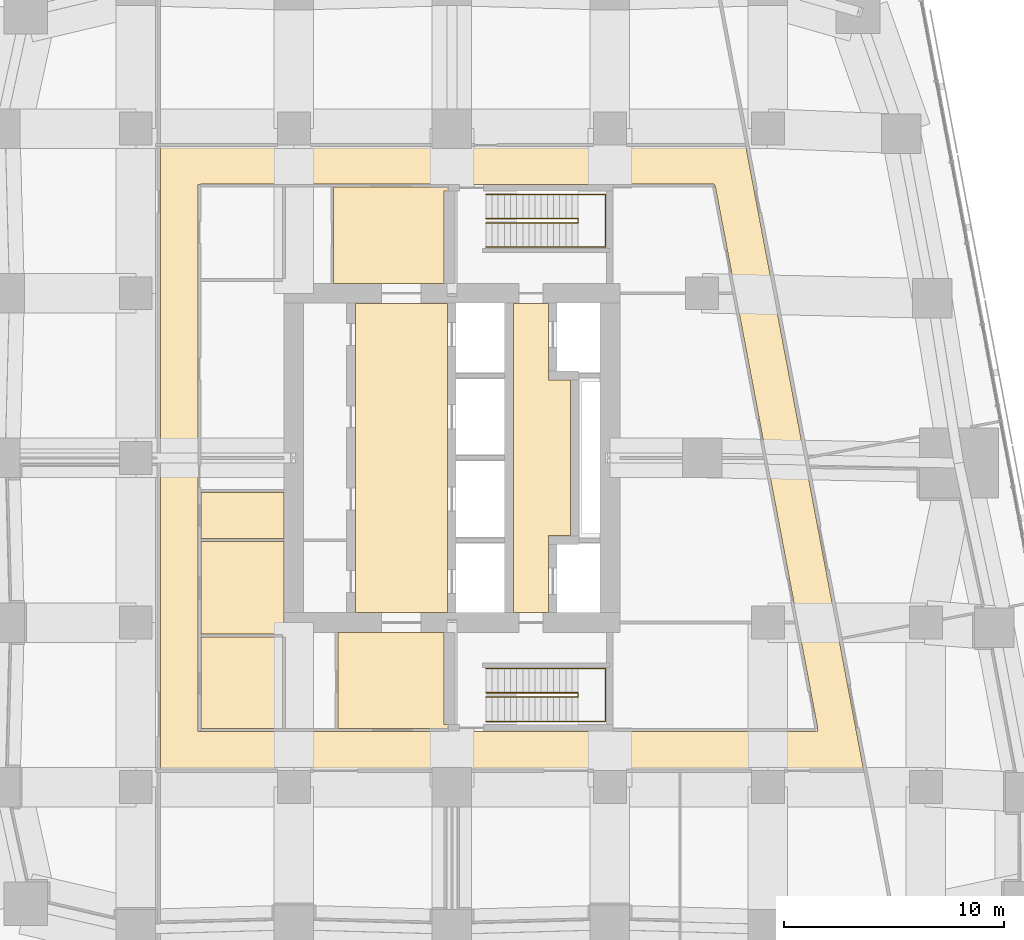
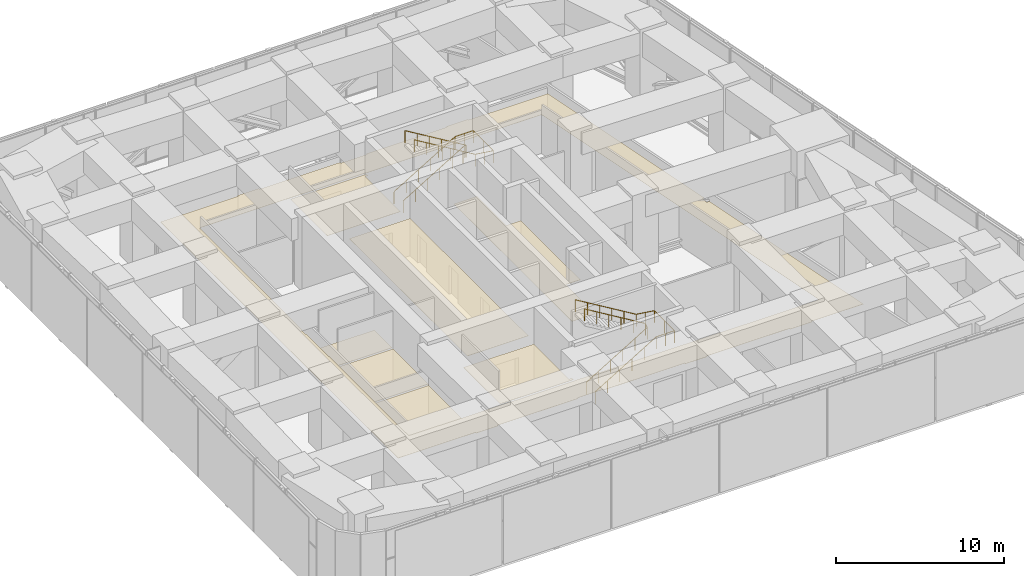
# One storey, part 17 of 17: 8 coverings, 4 railings.
"""IFC4 building model written with IfcOpenShell, lengths in metres."""

from ifc_helpers import new_model, si_unit, direction, frame, origin, origin_2d, place, context, subcontext, project, spatial, polyline, circle, outline, extrude, material, layer, layer_set, type_object, element, save


model = new_model("IFC4")

# Units and contexts
model_context = context("Model", 3, precision=1e-05, world=origin(), true_north=direction((0.0, 1.0)))
body_context = subcontext(model_context, "Body", "Model", "MODEL_VIEW")
ifc_project = project(units=[si_unit("LENGTHUNIT", "METRE"), si_unit("AREAUNIT", "SQUARE_METRE"), si_unit("VOLUMEUNIT", "CUBIC_METRE"), si_unit("PLANEANGLEUNIT", "RADIAN"), si_unit("MASSUNIT", "GRAM", prefix="KILO")], contexts=[model_context])

# Site, building, storey
site_placement = place(None, origin())
site = spatial("IfcSite", under=ifc_project, at=site_placement, CompositionType="ELEMENT")
building_placement = place(site_placement, origin())
building = spatial("IfcBuilding", under=site, at=building_placement, Name="Sheger Commons Tower", CompositionType="ELEMENT")
storey_placement = place(building_placement, frame((0.0, 0.0, 188.300048828125)))
storey = spatial("IfcBuildingStorey", under=building, at=storey_placement, Name="L48", CompositionType="ELEMENT", Elevation=188.300048828125)

# Railings
ifc_material_1 = material(Name="Steel handrail, black powder-coated", Category="steel")
railing_type = type_object("IfcRailingType", Name="HANDRAIL 900", PredefinedType="HANDRAIL", material=ifc_material_1)
railing_1_placement = place(storey_placement, frame((23.14990234375, 11.60009765625, 0.168701171875)))
element("IfcRailing", 1, at=railing_1_placement, inside=storey, type_object=railing_type, Name="Stair S1 handrail L48", PredefinedType="HANDRAIL", context=body_context, shape_type="SweptSolid", body=[
    extrude(circle(Radius=0.02392578125, at=origin_2d()), frame((0.0, 0.0, 0.8759765625), z_axis=(0.856489757249, 0.0, 0.516164020179), x_axis=(0.0, 1.0, 0.0)), (0.0, 0.0, 1.0), 4.904052734375),
    extrude(circle(Radius=0.02392578125, at=origin_2d()), frame((4.2001953125, 0.0, 3.4072265625), z_axis=(0.0, 0.764305856904, 0.644853903688), x_axis=(-1.0, 0.0, 0.0)), (0.0, 0.0, 1.0), 0.26171875),
    extrude(circle(Radius=0.02392578125, at=origin_2d()), frame((4.2001953125, 0.199951171875, 3.57568359375), z_axis=(-0.856489757249, 0.0, 0.516164020179), x_axis=(0.0, -1.0, 0.0)), (0.0, 0.0, 1.0), 4.904052734375),
    extrude(circle(Radius=0.02099609375, at=origin_2d()), origin(), (0.0, 0.0, 1.0), 0.851806640625),
    extrude(circle(Radius=0.02099609375, at=origin_2d()), frame((0.840087890625, 0.0, 0.50634765625)), (0.0, 0.0, 1.0), 0.851806640625),
    extrude(circle(Radius=0.02099609375, at=origin_2d()), frame((1.68017578125, 0.0, 1.012451171875)), (0.0, 0.0, 1.0), 0.851806640625),
    extrude(circle(Radius=0.02099609375, at=origin_2d()), frame((2.52001953125, 0.0, 1.518798828125)), (0.0, 0.0, 1.0), 0.851806640625),
    extrude(circle(Radius=0.02099609375, at=origin_2d()), frame((3.360107421875, 0.0, 2.02490234375)), (0.0, 0.0, 1.0), 0.851806640625),
    extrude(circle(Radius=0.02099609375, at=origin_2d()), frame((4.2001953125, 0.0, 2.53125)), (0.0, 0.0, 1.0), 0.851806640625),
    extrude(circle(Radius=0.02099609375, at=origin_2d()), frame((4.2001953125, 0.199951171875, 2.699951171875)), (0.0, 0.0, 1.0), 0.851806640625),
    extrude(circle(Radius=0.02099609375, at=origin_2d()), frame((3.360107421875, 0.199951171875, 3.206298828125)), (0.0, 0.0, 1.0), 0.851806640625),
    extrude(circle(Radius=0.02099609375, at=origin_2d()), frame((2.52001953125, 0.199951171875, 3.71240234375)), (0.0, 0.0, 1.0), 0.851806640625),
    extrude(circle(Radius=0.02099609375, at=origin_2d()), frame((1.68017578125, 0.199951171875, 4.21875)), (0.0, 0.0, 1.0), 0.851806640625),
    extrude(circle(Radius=0.02099609375, at=origin_2d()), frame((0.840087890625, 0.199951171875, 4.724853515625)), (0.0, 0.0, 1.0), 0.851806640625),
    extrude(circle(Radius=0.02099609375, at=origin_2d()), frame((0.0, 0.199951171875, 5.231201171875)), (0.0, 0.0, 1.0), 0.851806640625),
])
railing_2_placement = place(storey_placement, frame((23.14990234375, 10.5, 0.168701171875)))
element("IfcRailing", 2, at=railing_2_placement, inside=storey, type_object=railing_type, Name="Stair S1 handrail L48", PredefinedType="HANDRAIL", context=body_context, shape_type="SweptSolid", body=[
    extrude(circle(Radius=0.02392578125, at=origin_2d()), frame((0.0, 0.0, 0.8759765625), z_axis=(0.856489757249, 0.0, 0.516164020179), x_axis=(0.0, 1.0, 0.0)), (0.0, 0.0, 1.0), 4.904052734375),
    extrude(circle(Radius=0.02392578125, at=origin_2d()), frame((4.2001953125, 0.0, 3.4072265625), z_axis=(1.0, 0.0, 0.0), x_axis=(0.0, 1.0, 0.0)), (0.0, 0.0, 1.0), 1.25),
    extrude(circle(Radius=0.02392578125, at=origin_2d()), frame((5.4501953125, 0.0, 3.4072265625), z_axis=(0.0, 1.0, 0.0), x_axis=(-1.0, 0.0, 0.0)), (0.0, 0.0, 1.0), 2.39990234375),
    extrude(circle(Radius=0.02392578125, at=origin_2d()), frame((5.4501953125, 2.39990234375, 3.4072265625), z_axis=(-0.991015326251, 0.0, 0.133748357508), x_axis=(0.0, -1.0, 0.0)), (0.0, 0.0, 1.0), 1.26123046875),
    extrude(circle(Radius=0.02392578125, at=origin_2d()), frame((4.2001953125, 2.39990234375, 3.57568359375), z_axis=(-0.856489757249, 0.0, 0.516164020179), x_axis=(0.0, -1.0, 0.0)), (0.0, 0.0, 1.0), 4.904052734375),
    extrude(circle(Radius=0.02099609375, at=origin_2d()), origin(), (0.0, 0.0, 1.0), 0.851806640625),
    extrude(circle(Radius=0.02099609375, at=origin_2d()), frame((0.840087890625, 0.0, 0.50634765625)), (0.0, 0.0, 1.0), 0.851806640625),
    extrude(circle(Radius=0.02099609375, at=origin_2d()), frame((1.68017578125, 0.0, 1.012451171875)), (0.0, 0.0, 1.0), 0.851806640625),
    extrude(circle(Radius=0.02099609375, at=origin_2d()), frame((2.52001953125, 0.0, 1.518798828125)), (0.0, 0.0, 1.0), 0.851806640625),
    extrude(circle(Radius=0.02099609375, at=origin_2d()), frame((3.360107421875, 0.0, 2.02490234375)), (0.0, 0.0, 1.0), 0.851806640625),
    extrude(circle(Radius=0.02099609375, at=origin_2d()), frame((4.2001953125, 0.0, 2.53125)), (0.0, 0.0, 1.0), 0.851806640625),
    extrude(circle(Radius=0.02099609375, at=origin_2d()), frame((4.8251953125, 0.0, 2.53125)), (0.0, 0.0, 1.0), 0.851806640625),
    extrude(circle(Radius=0.02099609375, at=origin_2d()), frame((5.4501953125, 0.0, 2.53125)), (0.0, 0.0, 1.0), 0.851806640625),
    extrude(circle(Radius=0.02099609375, at=origin_2d()), frame((5.4501953125, 1.199951171875, 2.53125)), (0.0, 0.0, 1.0), 0.851806640625),
    extrude(circle(Radius=0.02099609375, at=origin_2d()), frame((5.4501953125, 2.39990234375, 2.53125)), (0.0, 0.0, 1.0), 0.851806640625),
    extrude(circle(Radius=0.02099609375, at=origin_2d()), frame((4.8251953125, 2.39990234375, 2.61572265625)), (0.0, 0.0, 1.0), 0.851806640625),
    extrude(circle(Radius=0.02099609375, at=origin_2d()), frame((4.2001953125, 2.39990234375, 2.699951171875)), (0.0, 0.0, 1.0), 0.851806640625),
    extrude(circle(Radius=0.02099609375, at=origin_2d()), frame((3.360107421875, 2.39990234375, 3.206298828125)), (0.0, 0.0, 1.0), 0.851806640625),
    extrude(circle(Radius=0.02099609375, at=origin_2d()), frame((2.52001953125, 2.39990234375, 3.71240234375)), (0.0, 0.0, 1.0), 0.851806640625),
    extrude(circle(Radius=0.02099609375, at=origin_2d()), frame((1.68017578125, 2.39990234375, 4.21875)), (0.0, 0.0, 1.0), 0.851806640625),
    extrude(circle(Radius=0.02099609375, at=origin_2d()), frame((0.840087890625, 2.39990234375, 4.724853515625)), (0.0, 0.0, 1.0), 0.851806640625),
    extrude(circle(Radius=0.02099609375, at=origin_2d()), frame((0.0, 2.39990234375, 5.231201171875)), (0.0, 0.0, 1.0), 0.851806640625),
])
railing_3_placement = place(storey_placement, frame((23.14990234375, 33.39990234375, 0.168701171875)))
element("IfcRailing", 3, at=railing_3_placement, inside=storey, type_object=railing_type, Name="Stair S2 handrail L48", PredefinedType="HANDRAIL", context=body_context, shape_type="SweptSolid", body=[
    extrude(circle(Radius=0.02392578125, at=origin_2d()), frame((0.0, 0.0, 0.8759765625), z_axis=(0.856489757249, 0.0, 0.516164020179), x_axis=(0.0, 1.0, 0.0)), (0.0, 0.0, 1.0), 4.904052734375),
    extrude(circle(Radius=0.02392578125, at=origin_2d()), frame((4.2001953125, 0.0, 3.4072265625), z_axis=(0.0, -0.764305856904, 0.644853903688), x_axis=(1.0, 0.0, 0.0)), (0.0, 0.0, 1.0), 0.26171875),
    extrude(circle(Radius=0.02392578125, at=origin_2d()), frame((4.2001953125, -0.199951171875, 3.57568359375), z_axis=(-0.856489757249, 0.0, 0.516164020179), x_axis=(0.0, -1.0, 0.0)), (0.0, 0.0, 1.0), 4.904052734375),
    extrude(circle(Radius=0.02099609375, at=origin_2d()), origin(), (0.0, 0.0, 1.0), 0.851806640625),
    extrude(circle(Radius=0.02099609375, at=origin_2d()), frame((0.840087890625, 0.0, 0.50634765625)), (0.0, 0.0, 1.0), 0.851806640625),
    extrude(circle(Radius=0.02099609375, at=origin_2d()), frame((1.68017578125, 0.0, 1.012451171875)), (0.0, 0.0, 1.0), 0.851806640625),
    extrude(circle(Radius=0.02099609375, at=origin_2d()), frame((2.52001953125, 0.0, 1.518798828125)), (0.0, 0.0, 1.0), 0.851806640625),
    extrude(circle(Radius=0.02099609375, at=origin_2d()), frame((3.360107421875, 0.0, 2.02490234375)), (0.0, 0.0, 1.0), 0.851806640625),
    extrude(circle(Radius=0.02099609375, at=origin_2d()), frame((4.2001953125, 0.0, 2.53125)), (0.0, 0.0, 1.0), 0.851806640625),
    extrude(circle(Radius=0.02099609375, at=origin_2d()), frame((4.2001953125, -0.199951171875, 2.699951171875)), (0.0, 0.0, 1.0), 0.851806640625),
    extrude(circle(Radius=0.02099609375, at=origin_2d()), frame((3.360107421875, -0.199951171875, 3.206298828125)), (0.0, 0.0, 1.0), 0.851806640625),
    extrude(circle(Radius=0.02099609375, at=origin_2d()), frame((2.52001953125, -0.199951171875, 3.71240234375)), (0.0, 0.0, 1.0), 0.851806640625),
    extrude(circle(Radius=0.02099609375, at=origin_2d()), frame((1.68017578125, -0.199951171875, 4.21875)), (0.0, 0.0, 1.0), 0.851806640625),
    extrude(circle(Radius=0.02099609375, at=origin_2d()), frame((0.840087890625, -0.199951171875, 4.724853515625)), (0.0, 0.0, 1.0), 0.851806640625),
    extrude(circle(Radius=0.02099609375, at=origin_2d()), frame((0.0, -0.199951171875, 5.231201171875)), (0.0, 0.0, 1.0), 0.851806640625),
])
railing_4_placement = place(storey_placement, frame((23.14990234375, 34.5, 0.168701171875)))
element("IfcRailing", 4, at=railing_4_placement, inside=storey, type_object=railing_type, Name="Stair S2 handrail L48", PredefinedType="HANDRAIL", context=body_context, shape_type="SweptSolid", body=[
    extrude(circle(Radius=0.02392578125, at=origin_2d()), frame((0.0, 0.0, 0.8759765625), z_axis=(0.856489757249, 0.0, 0.516164020179), x_axis=(0.0, 1.0, 0.0)), (0.0, 0.0, 1.0), 4.904052734375),
    extrude(circle(Radius=0.02392578125, at=origin_2d()), frame((4.2001953125, 0.0, 3.4072265625), z_axis=(1.0, 0.0, 0.0), x_axis=(0.0, 1.0, 0.0)), (0.0, 0.0, 1.0), 1.25),
    extrude(circle(Radius=0.02392578125, at=origin_2d()), frame((5.4501953125, 0.0, 3.4072265625), z_axis=(0.0, -1.0, 0.0), x_axis=(1.0, 0.0, 0.0)), (0.0, 0.0, 1.0), 2.39990234375),
    extrude(circle(Radius=0.02392578125, at=origin_2d()), frame((5.4501953125, -2.39990234375, 3.4072265625), z_axis=(-0.991015326251, 0.0, 0.133748357508), x_axis=(0.0, -1.0, 0.0)), (0.0, 0.0, 1.0), 1.26123046875),
    extrude(circle(Radius=0.02392578125, at=origin_2d()), frame((4.2001953125, -2.39990234375, 3.57568359375), z_axis=(-0.856489757249, 0.0, 0.516164020179), x_axis=(0.0, -1.0, 0.0)), (0.0, 0.0, 1.0), 4.904052734375),
    extrude(circle(Radius=0.02099609375, at=origin_2d()), origin(), (0.0, 0.0, 1.0), 0.851806640625),
    extrude(circle(Radius=0.02099609375, at=origin_2d()), frame((0.840087890625, 0.0, 0.50634765625)), (0.0, 0.0, 1.0), 0.851806640625),
    extrude(circle(Radius=0.02099609375, at=origin_2d()), frame((1.68017578125, 0.0, 1.012451171875)), (0.0, 0.0, 1.0), 0.851806640625),
    extrude(circle(Radius=0.02099609375, at=origin_2d()), frame((2.52001953125, 0.0, 1.518798828125)), (0.0, 0.0, 1.0), 0.851806640625),
    extrude(circle(Radius=0.02099609375, at=origin_2d()), frame((3.360107421875, 0.0, 2.02490234375)), (0.0, 0.0, 1.0), 0.851806640625),
    extrude(circle(Radius=0.02099609375, at=origin_2d()), frame((4.2001953125, 0.0, 2.53125)), (0.0, 0.0, 1.0), 0.851806640625),
    extrude(circle(Radius=0.02099609375, at=origin_2d()), frame((4.8251953125, 0.0, 2.53125)), (0.0, 0.0, 1.0), 0.851806640625),
    extrude(circle(Radius=0.02099609375, at=origin_2d()), frame((5.4501953125, 0.0, 2.53125)), (0.0, 0.0, 1.0), 0.851806640625),
    extrude(circle(Radius=0.02099609375, at=origin_2d()), frame((5.4501953125, -1.199951171875, 2.53125)), (0.0, 0.0, 1.0), 0.851806640625),
    extrude(circle(Radius=0.02099609375, at=origin_2d()), frame((5.4501953125, -2.39990234375, 2.53125)), (0.0, 0.0, 1.0), 0.851806640625),
    extrude(circle(Radius=0.02099609375, at=origin_2d()), frame((4.8251953125, -2.39990234375, 2.61572265625)), (0.0, 0.0, 1.0), 0.851806640625),
    extrude(circle(Radius=0.02099609375, at=origin_2d()), frame((4.2001953125, -2.39990234375, 2.699951171875)), (0.0, 0.0, 1.0), 0.851806640625),
    extrude(circle(Radius=0.02099609375, at=origin_2d()), frame((3.360107421875, -2.39990234375, 3.206298828125)), (0.0, 0.0, 1.0), 0.851806640625),
    extrude(circle(Radius=0.02099609375, at=origin_2d()), frame((2.52001953125, -2.39990234375, 3.71240234375)), (0.0, 0.0, 1.0), 0.851806640625),
    extrude(circle(Radius=0.02099609375, at=origin_2d()), frame((1.68017578125, -2.39990234375, 4.21875)), (0.0, 0.0, 1.0), 0.851806640625),
    extrude(circle(Radius=0.02099609375, at=origin_2d()), frame((0.840087890625, -2.39990234375, 4.724853515625)), (0.0, 0.0, 1.0), 0.851806640625),
    extrude(circle(Radius=0.02099609375, at=origin_2d()), frame((0.0, -2.39990234375, 5.231201171875)), (0.0, 0.0, 1.0), 0.851806640625),
])

# Coverings
ifc_material_2 = material(Name="Moisture-resistant gypsum plasterboard 15 mm on a suspended galvanised steel grid", Category="steel")
ifc_layer_1 = layer(ifc_material_2, 0.014892578125)
ifc_layer_set_1 = layer_set([ifc_layer_1], Name="MOISTURE-RESISTANT CEILING 15")
covering_type_1 = type_object("IfcCoveringType", Name="MOISTURE-RESISTANT CEILING 15", PredefinedType="CEILING", material=ifc_layer_set_1)
covering_1_placement = place(storey_placement, frame((0.0, 0.0, 2.39990234375)))
element("IfcCovering", 5, at=covering_1_placement, inside=storey, type_object=covering_type_1, Name="L48-SVW0 ceiling", PredefinedType="CEILING", context=body_context, shape_type="SweptSolid", body=[
    extrude(outline(polyline([(10.16796875, 10.16796875), (13.882080078125, 10.16796875), (13.882080078125, 14.33203125), (10.16796875, 14.33203125), (10.16796875, 10.16796875)])), origin(), (0.0, 0.0, 1.0), 0.01513671875),
])
covering_2_placement = place(storey_placement, frame((0.0, 0.0, 2.39990234375)))
element("IfcCovering", 6, at=covering_2_placement, inside=storey, type_object=covering_type_1, Name="L48-SVW1 ceiling", PredefinedType="CEILING", context=body_context, shape_type="SweptSolid", body=[
    extrude(outline(polyline([(13.89306640625, 14.39990234375), (13.949951171875, 14.39990234375), (13.949951171875, 14.544921875), (13.945068359375, 14.544921875), (13.945068359375, 15.455078125), (13.949951171875, 15.455078125), (13.949951171875, 18.68310546875), (10.16796875, 18.68310546875), (10.16796875, 14.468017578125), (13.89306640625, 14.468017578125), (13.89306640625, 14.39990234375)])), origin(), (0.0, 0.0, 1.0), 0.01513671875),
])
covering_3_placement = place(storey_placement, frame((0.0, 0.0, 2.39990234375)))
element("IfcCovering", 7, at=covering_3_placement, inside=storey, type_object=covering_type_1, Name="L48-SVW1b ceiling", PredefinedType="CEILING", context=body_context, shape_type="SweptSolid", body=[
    extrude(outline(polyline([(10.16796875, 18.81689453125), (13.949951171875, 18.81689453125), (13.949951171875, 20.93310546875), (10.16796875, 20.93310546875), (10.16796875, 18.81689453125)])), origin(), (0.0, 0.0, 1.0), 0.01513671875),
])
ifc_material_3 = material(Name="Gypsum plasterboard 15 mm on a suspended steel grid", Category="steel")
ifc_layer_2 = layer(ifc_material_3, 0.014892578125)
ifc_layer_set_2 = layer_set([ifc_layer_2], Name="SUSPENDED CEILING 15")
covering_type_2 = type_object("IfcCoveringType", Name="SUSPENDED CEILING 15", PredefinedType="CEILING", material=ifc_layer_set_2)
covering_4_placement = place(storey_placement, frame((0.0, 0.0, 2.699951171875)))
element("IfcCovering", 8, at=covering_4_placement, inside=storey, type_object=covering_type_2, Name="L48-CO ceiling", PredefinedType="CEILING", context=body_context, shape_type="SweptSolid", body=[
    extrude(outline(polyline([(13.654052734375, 8.2548828125), (15.14599609375, 8.2548828125), (15.14599609375, 8.330078125), (20.695068359375, 8.330078125), (20.695068359375, 8.405029296875), (22.5048828125, 8.405029296875), (22.5048828125, 8.330078125), (28.053955078125, 8.330078125), (28.053955078125, 8.2548828125), (29.5458984375, 8.2548828125), (29.5458984375, 8.330078125), (35.25390625, 8.330078125), (35.25390625, 8.2548828125), (36.74609375, 8.2548828125), (36.74609375, 8.330078125), (40.35009765625, 8.330078125), (37.735107421875, 22.172119140625), (37.5400390625, 22.176025390625), (37.549072265625, 22.639892578125), (37.64697265625, 22.637939453125), (34.98095703125, 36.75), (34.97705078125, 36.75), (34.97705078125, 36.669921875), (33.572998046875, 36.669921875), (33.572998046875, 34.947998046875), (33.571044921875, 34.947998046875), (33.589111328125, 34.85205078125), (33.60595703125, 34.85498046875), (38.26904296875, 10.1708984375), (38.251953125, 10.1669921875), (38.27392578125, 10.050048828125), (38.14306640625, 10.050048828125), (38.14306640625, 10.031982421875), (28.945068359375, 10.031982421875), (28.945068359375, 10.044921875), (21.455078125, 10.044921875), (21.455078125, 10.031982421875), (10.157958984375, 10.031982421875), (10.157958984375, 10.044921875), (10.031982421875, 10.044921875), (10.031982421875, 22.26806640625), (9.969970703125, 22.26806640625), (9.969970703125, 22.73193359375), (10.031982421875, 22.73193359375), (10.031982421875, 34.955078125), (10.157958984375, 34.955078125), (10.157958984375, 34.968017578125), (21.455078125, 34.968017578125), (21.455078125, 34.949951171875), (28.945068359375, 34.949951171875), (28.945068359375, 34.968017578125), (33.54296875, 34.968017578125), (33.54296875, 34.949951171875), (33.568115234375, 34.949951171875), (33.568115234375, 36.669921875), (29.5458984375, 36.669921875), (29.5458984375, 36.7451171875), (28.053955078125, 36.7451171875), (28.053955078125, 36.669921875), (22.5048828125, 36.669921875), (22.5048828125, 36.594970703125), (20.695068359375, 36.594970703125), (20.695068359375, 36.669921875), (15.14599609375, 36.669921875), (15.14599609375, 36.7451171875), (13.654052734375, 36.7451171875), (13.654052734375, 36.669921875), (8.330078125, 36.669921875), (8.330078125, 8.330078125), (13.654052734375, 8.330078125), (13.654052734375, 8.2548828125)])), origin(), (0.0, 0.0, 1.0), 0.014892578125),
])
covering_5_placement = place(storey_placement, frame((0.0, 0.0, 2.699951171875)))
element("IfcCovering", 9, at=covering_5_placement, inside=storey, type_object=covering_type_2, Name="L48-SVS1 ceiling", PredefinedType="CEILING", context=body_context, shape_type="SweptSolid", body=[
    extrude(outline(polyline([(16.406982421875, 10.16796875), (21.445068359375, 10.16796875), (21.445068359375, 10.344970703125), (21.2451171875, 10.344970703125), (21.2451171875, 14.544921875), (16.406982421875, 14.544921875), (16.406982421875, 10.16796875)])), origin(), (0.0, 0.0, 1.0), 0.014892578125),
])
covering_6_placement = place(storey_placement, frame((0.0, 0.0, 2.699951171875)))
element("IfcCovering", 10, at=covering_6_placement, inside=storey, type_object=covering_type_2, Name="L48-SVN1 ceiling", PredefinedType="CEILING", context=body_context, shape_type="SweptSolid", body=[
    extrude(outline(polyline([(16.217041015625, 30.455078125), (21.2451171875, 30.455078125), (21.2451171875, 34.655029296875), (21.445068359375, 34.655029296875), (21.445068359375, 34.83203125), (16.217041015625, 34.83203125), (16.217041015625, 30.455078125)])), origin(), (0.0, 0.0, 1.0), 0.014892578125),
])
covering_7_placement = place(storey_placement, frame((0.0, 0.0, 2.699951171875)))
element("IfcCovering", 11, at=covering_7_placement, inside=storey, type_object=covering_type_2, Name="L48-LL ceiling", PredefinedType="CEILING", context=body_context, shape_type="SweptSolid", body=[
    extrude(outline(polyline([(17.205078125, 15.455078125), (21.39990234375, 15.455078125), (21.39990234375, 29.544921875), (17.205078125, 29.544921875), (17.205078125, 15.455078125)])), origin(), (0.0, 0.0, 1.0), 0.014892578125),
])
covering_8_placement = place(storey_placement, frame((0.0, 0.0, 2.699951171875)))
element("IfcCovering", 12, at=covering_8_placement, inside=storey, type_object=covering_type_2, Name="L48-FL ceiling", PredefinedType="CEILING", context=body_context, shape_type="SweptSolid", body=[
    extrude(outline(polyline([(24.405029296875, 15.455078125), (25.9951171875, 15.455078125), (25.9951171875, 18.955078125), (26.9951171875, 18.955078125), (26.9951171875, 26.044921875), (25.9951171875, 26.044921875), (25.9951171875, 29.544921875), (24.405029296875, 29.544921875), (24.405029296875, 15.455078125)])), origin(), (0.0, 0.0, 1.0), 0.014892578125),
])

save(model, "model.ifc")
